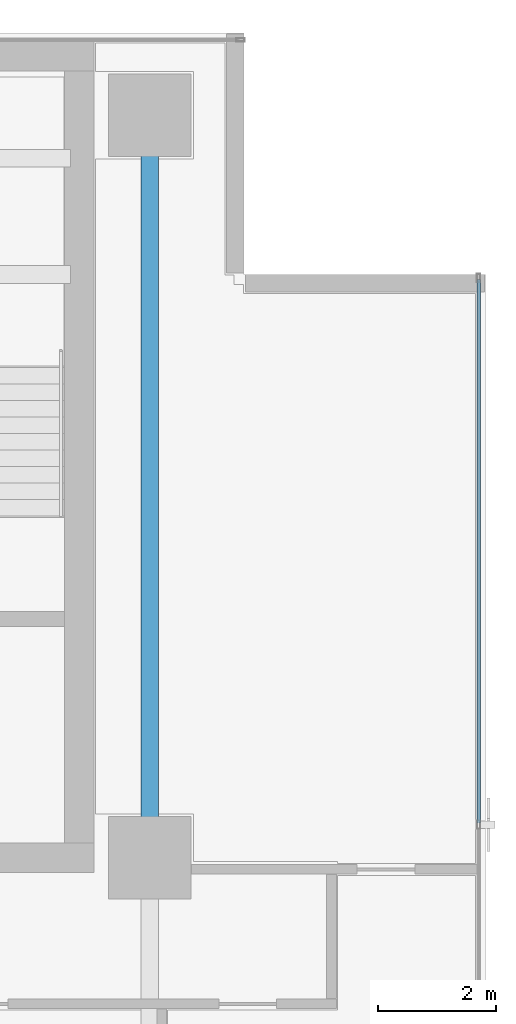
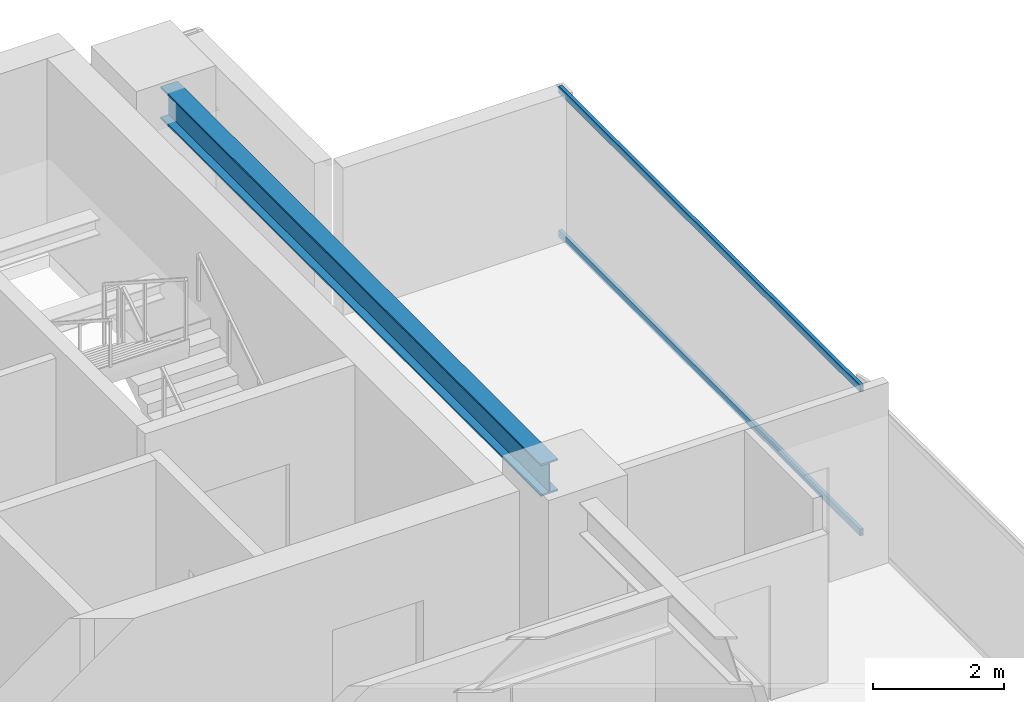
# One storey, part 14 of 26: 2 members, 1 beam, 1 element without a shape of its own.
"""IFC4 building model written with IfcOpenShell, lengths in metres."""

from ifc_helpers import new_model, si_unit, direction, frame, origin, origin_2d, place, context, subcontext, project, spatial, hollow_rectangle, i_section, extrude, source, transform, mapped, material, layer, layer_set, material_profile, profile_set, type_object, element, aggregate, save


model = new_model("IFC4")

# Units and contexts
model_context = context("Model", 3, precision=1e-05, world=origin(), true_north=direction((0.0, 1.0)))
body_context = subcontext(model_context, "Body", "Model", "MODEL_VIEW")
ifc_project = project(units=[si_unit("LENGTHUNIT", "METRE"), si_unit("AREAUNIT", "SQUARE_METRE"), si_unit("VOLUMEUNIT", "CUBIC_METRE"), si_unit("PLANEANGLEUNIT", "RADIAN"), si_unit("MASSUNIT", "GRAM", prefix="KILO")], contexts=[model_context])

# Site, building, storey
site_placement = place(None, origin())
site = spatial("IfcSite", under=ifc_project, at=site_placement, CompositionType="ELEMENT")
building_placement = place(site_placement, origin())
building = spatial("IfcBuilding", under=site, at=building_placement, Name="Sumidabori Civic Tower", CompositionType="ELEMENT")
storey_placement = place(building_placement, frame((0.0, 0.0, 261.199951171875)))
storey = spatial("IfcBuildingStorey", under=building, at=storey_placement, Name="L68", CompositionType="ELEMENT", Elevation=261.199951171875)

# Beam
ifc_material_1 = material(Name="Steel SN490", Category="steel")
ifc_material_profile_1 = material_profile(ifc_material_1, i_section(OverallWidth=0.300048828125, OverallDepth=0.60009765625, WebThickness=0.015380859375, FlangeThickness=0.030029296875, at=origin_2d()), Name="HE 600 B")
ifc_profile_set_1 = profile_set([ifc_material_profile_1], Name="Steel SN490")
beam_type = type_object("IfcBeamType", Name="BM-GIRD-600", PredefinedType="BEAM", material=ifc_profile_set_1)
shared_shape_1 = source(origin(), body_context, "Body", "SweptSolid", [
    extrude(i_section(OverallWidth=0.300048828125, OverallDepth=0.60009765625, WebThickness=0.015380859375, FlangeThickness=0.030029296875, at=origin_2d()), origin(), (0.0, 0.0, 1.0), 11.64013671875),
])
beam_placement = place(storey_placement, frame((16.800048828125, 10.679931640625, 3.070068359375), z_axis=(0.0, 1.0, 0.0), x_axis=(-1.0, 0.0, 0.0)))
element("IfcBeam", 1, at=beam_placement, inside=storey, type_object=beam_type, Name="Primary Girder L68 GY-17", PredefinedType="BEAM", context=body_context, shape_type="MappedRepresentation", body=[
    mapped(shared_shape_1, transform((0.0, 0.0, 0.0), x_axis=(1.0, 0.0, 0.0), y_axis=(0.0, 1.0, 0.0), z_axis=(0.0, 0.0, 1.0), scale=1.0)),
])

# Curtain wall, members
ifc_material_2 = material(Name="Anodised Bronze Aluminium AW-6063-T6", Category="aluminium")
ifc_layer = layer(ifc_material_2, 0.179931640625, Name="Anodised Bronze Aluminium AW-6063-T6")
ifc_layer_set = layer_set([ifc_layer], Name="Anodised Bronze Aluminium AW-6063-T6")
curtain_wall_type = type_object("IfcCurtainWallType", Name="CW-SYS-5", PredefinedType="NOTDEFINED", material=ifc_layer_set)
curtain_wall_placement = place(storey_placement, origin())
curtain_wall = element("IfcCurtainWall", 2, at=curtain_wall_placement, inside=storey, type_object=curtain_wall_type, Name="Curtain Wall CW:L68:R04", PredefinedType="NOTDEFINED")
ifc_material_profile_2 = material_profile(ifc_material_2, hollow_rectangle(XDim=0.06005859375, YDim=0.1298828125, WallThickness=0.0048828125, at=origin_2d()), Name="ALU TRANSOM 130x60")
ifc_profile_set_2 = profile_set([ifc_material_profile_2], Name="Anodised Bronze Aluminium AW-6063-T6")
member_type = type_object("IfcMemberType", Name="CW-TRN-130", PredefinedType="USERDEFINED", material=ifc_profile_set_2)
shared_shape_2 = source(origin(), body_context, "Body", "SweptSolid", [
    extrude(hollow_rectangle(XDim=0.06005859375, YDim=0.1298828125, WallThickness=0.0048828125, at=origin_2d()), origin(), (0.0, 0.0, 1.0), 9.223388671875),
])
member_1_placement = place(storey_placement, frame((22.3798828125, 10.78662109375, 0.030029296875), z_axis=(0.0, 1.0, 0.0), x_axis=(-1.0, 0.0, 0.0)))
member_1 = element("IfcMember", 3, at=member_1_placement, type_object=member_type, Name="CW-5 transom 3.1", ObjectType="TRANSOM", PredefinedType="USERDEFINED", context=body_context, shape_type="MappedRepresentation", body=[
    mapped(shared_shape_2, transform((0.0, 0.0, 0.0), x_axis=(1.0, 0.0, 0.0), y_axis=(0.0, 1.0, 0.0), z_axis=(0.0, 0.0, 1.0), scale=1.0)),
])
member_2_placement = place(storey_placement, frame((22.3798828125, 10.78662109375, 2.719970703125), z_axis=(0.0, 1.0, 0.0), x_axis=(-1.0, 0.0, 0.0)))
member_2 = element("IfcMember", 4, at=member_2_placement, type_object=member_type, Name="CW-5 transom 3.2", ObjectType="TRANSOM", PredefinedType="USERDEFINED", context=body_context, shape_type="MappedRepresentation", body=[
    mapped(shared_shape_2, transform((0.0, 0.0, 0.0), x_axis=(1.0, 0.0, 0.0), y_axis=(0.0, 1.0, 0.0), z_axis=(0.0, 0.0, 1.0), scale=1.0)),
])
aggregate(curtain_wall, [member_1, member_2])

save(model, "model.ifc")
